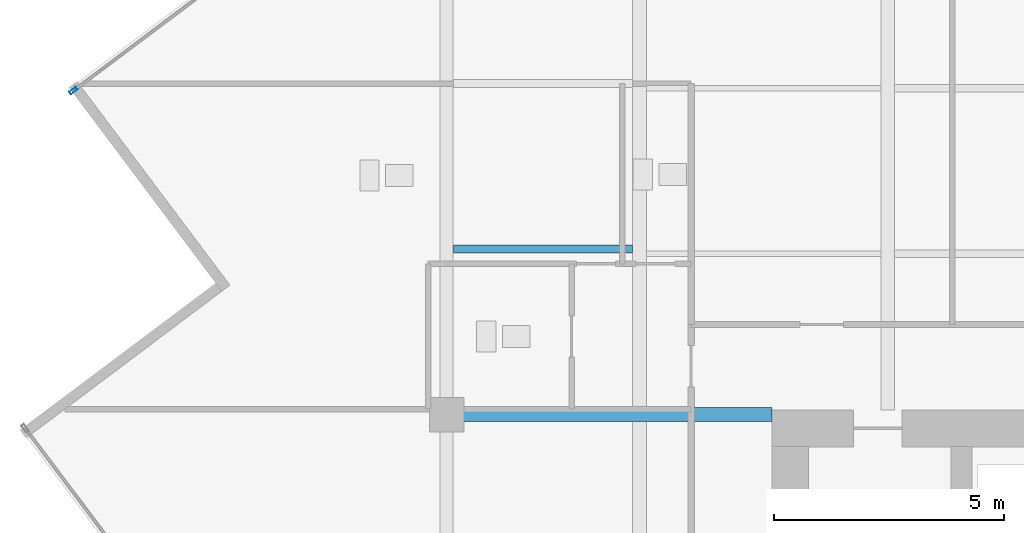
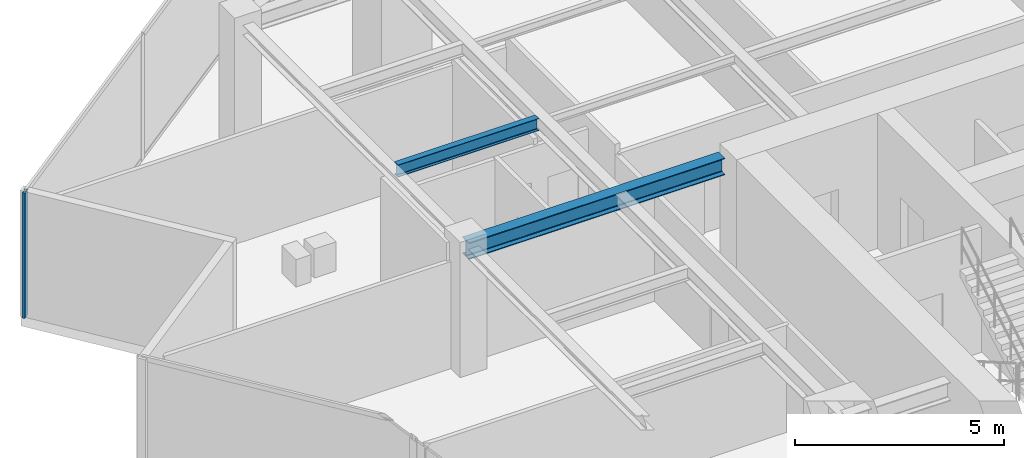
# One storey, part 5 of 21: 2 beams, 1 member, 1 element without a shape of its own.
"""IFC4 building model written with IfcOpenShell, lengths in metres."""

from ifc_helpers import new_model, si_unit, direction, frame, origin, origin_2d, place, context, subcontext, project, spatial, hollow_rectangle, i_section, extrude, source, transform, mapped, material, material_profile, profile_set, type_object, type_shapes, element, aggregate, save


model = new_model("IFC4")

# Units and contexts
model_context = context("Model", 3, precision=1e-05, world=origin(), true_north=direction((0.0, 1.0)))
body_context = subcontext(model_context, "Body", "Model", "MODEL_VIEW")
ifc_project = project(units=[si_unit("LENGTHUNIT", "METRE"), si_unit("AREAUNIT", "SQUARE_METRE"), si_unit("VOLUMEUNIT", "CUBIC_METRE"), si_unit("PLANEANGLEUNIT", "RADIAN"), si_unit("MASSUNIT", "GRAM", prefix="KILO")], contexts=[model_context])

# Site, building, storey
site_placement = place(None, origin())
site = spatial("IfcSite", under=ifc_project, at=site_placement, CompositionType="ELEMENT")
building_placement = place(site_placement, origin())
building = spatial("IfcBuilding", under=site, at=building_placement, Name="Krantzveldt Concourse Tower", CompositionType="ELEMENT")
storey_placement = place(building_placement, frame((0.0, 0.0, 267.39990234375)))
storey = spatial("IfcBuildingStorey", under=building, at=storey_placement, Name="L65", CompositionType="ELEMENT", Elevation=267.39990234375)

# Beams
ifc_material_1 = material(Name="Steel S355JR", Category="steel")
ifc_material_profile_1 = material_profile(ifc_material_1, i_section(OverallWidth=0.300048828125, OverallDepth=0.489990234375, WebThickness=0.011962890625, FlangeThickness=0.02294921875, FilletRadius=0.027099609375, at=origin_2d()), Name="Steel S355JR", Category="steel")
ifc_profile_set_1 = profile_set([ifc_material_profile_1], Name="Steel S355JR - HEA 500")
beam_type_1 = type_object("IfcBeamType", Name="BM-B-HEA500", PredefinedType="BEAM", material=ifc_profile_set_1)
shared_shape_1 = source(origin(), body_context, "Body", "SweptSolid", [
    extrude(i_section(OverallWidth=0.300048828125, OverallDepth=0.489990234375, WebThickness=0.011962890625, FlangeThickness=0.02294921875, FilletRadius=0.027099609375, at=origin_2d()), origin(), (0.0, 0.0, 1.0), 7.080078125),
])
type_shapes(beam_type_1, [shared_shape_1])
beam_1_placement = place(storey_placement, frame((21.0, 26.699951171875, 3.425048828125), z_axis=(1.0, 0.0, 0.0), x_axis=(0.0, 1.0, 0.0)))
element("IfcBeam", 1, at=beam_1_placement, inside=storey, type_object=beam_type_1, Name="L65 Tower Girder BG-CW2", PredefinedType="BEAM", context=body_context, shape_type="MappedRepresentation", body=[
    mapped(shared_shape_1, transform((0.0, 0.0, 0.0), x_axis=(1.0, 0.0, 0.0), y_axis=(0.0, 1.0, 0.0), z_axis=(0.0, 0.0, 1.0), scale=1.0)),
])
ifc_material_profile_2 = material_profile(ifc_material_1, i_section(OverallWidth=0.169921875, OverallDepth=0.360107421875, WebThickness=0.008056640625, FlangeThickness=0.0126953125, FilletRadius=0.01806640625, at=origin_2d()), Name="Steel S355JR", Category="steel")
ifc_profile_set_2 = profile_set([ifc_material_profile_2], Name="Steel S355JR - IPE 360")
beam_type_2 = type_object("IfcBeamType", Name="BM-J-IPE360", PredefinedType="JOIST", material=ifc_profile_set_2)
shared_shape_2 = source(origin(), body_context, "Body", "SweptSolid", [
    extrude(i_section(OverallWidth=0.169921875, OverallDepth=0.360107421875, WebThickness=0.008056640625, FlangeThickness=0.0126953125, FilletRadius=0.01806640625, at=origin_2d()), origin(), (0.0, 0.0, 1.0), 3.900146484375),
])
type_shapes(beam_type_2, [shared_shape_2])
beam_2_placement = place(storey_placement, frame((21.14990234375, 30.300048828125, 3.489990234375), z_axis=(1.0, 0.0, 0.0), x_axis=(0.0, 1.0, 0.0)))
element("IfcBeam", 2, at=beam_2_placement, inside=storey, type_object=beam_type_2, Name="L65 Secondary Floor Joist JW-3", PredefinedType="JOIST", context=body_context, shape_type="MappedRepresentation", body=[
    mapped(shared_shape_2, transform((0.0, 0.0, 0.0), x_axis=(1.0, 0.0, 0.0), y_axis=(0.0, 1.0, 0.0), z_axis=(0.0, 0.0, 1.0), scale=1.0)),
])

# Curtain wall, member
ifc_material_2 = material(Name="Anodised aluminium 6063-T6", Category="aluminium")
curtain_wall_type = type_object("IfcCurtainWallType", Name="CW4", PredefinedType="USERDEFINED", material=ifc_material_2)
curtain_wall_placement = place(storey_placement, origin())
curtain_wall = element("IfcCurtainWall", 3, at=curtain_wall_placement, inside=storey, type_object=curtain_wall_type, Name="CW-L65-F01", ObjectType="UNITISED CURTAIN WALL", PredefinedType="USERDEFINED")
ifc_material_profile_3 = material_profile(ifc_material_2, hollow_rectangle(XDim=0.070068359375, YDim=0.179931640625, WallThickness=0.0048828125, at=origin_2d()), Name="Anodised aluminium 6063-T6", Category="aluminium")
ifc_profile_set_3 = profile_set([ifc_material_profile_3], Name="Anodised aluminium 6063-T6 - ALU-MULL 180x70x5")
member_type = type_object("IfcMemberType", Name="CW-MUL-180", PredefinedType="MULLION", material=ifc_profile_set_3)
shared_shape_3 = source(origin(), body_context, "Body", "SweptSolid", [
    extrude(hollow_rectangle(XDim=0.070068359375, YDim=0.179931640625, WallThickness=0.0048828125, at=origin_2d()), origin(), (0.0, 0.0, 1.0), 3.670166015625),
])
type_shapes(member_type, [shared_shape_3])
member_placement = place(storey_placement, frame((12.88134765625, 33.746826171875, 0.0), z_axis=(0.0, 0.0, 1.0), x_axis=(0.600071326292, -0.799946500313, 0.0)))
member = element("IfcMember", 4, at=member_placement, type_object=member_type, Name="CW-Z56 mullion 5", PredefinedType="MULLION", context=body_context, shape_type="MappedRepresentation", body=[
    mapped(shared_shape_3, transform((0.0, 0.0, 0.0), x_axis=(1.0, 0.0, 0.0), y_axis=(0.0, 1.0, 0.0), z_axis=(0.0, 0.0, 1.0), scale=1.0)),
])
aggregate(curtain_wall, [member])

save(model, "model.ifc")
